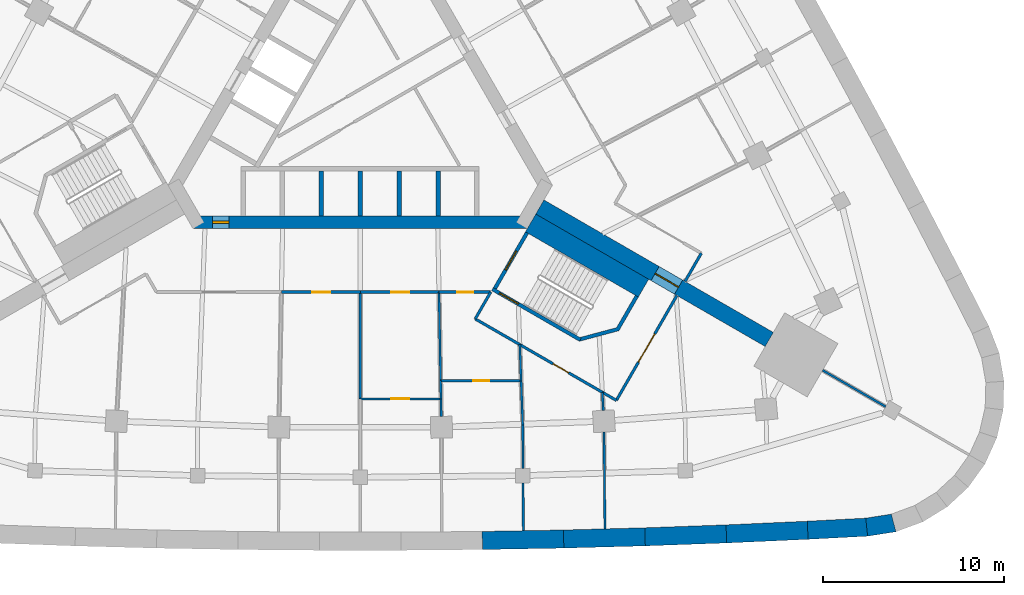
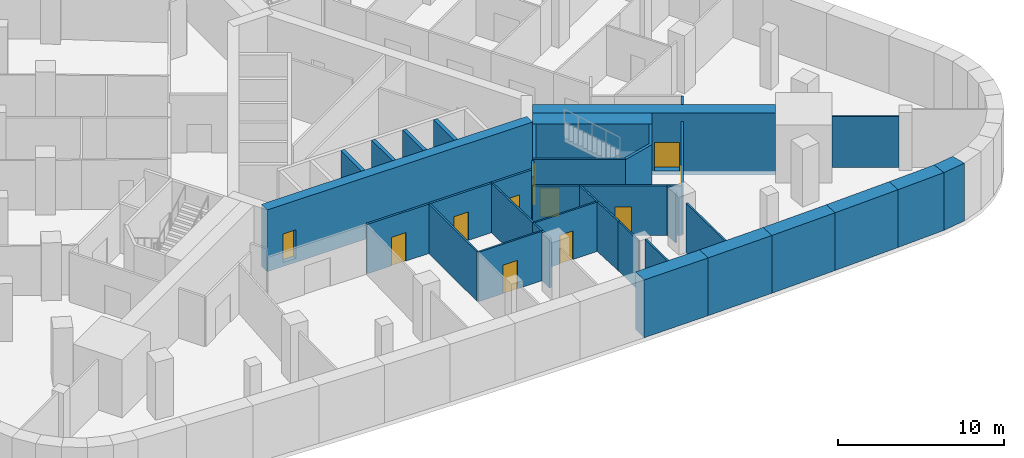
# One storey, part 5 of 9: 38 walls, 11 doors, 11 openings.
"""IFC4 building model written with IfcOpenShell, lengths in metres."""

from ifc_helpers import new_model, si_unit, direction, frame, frame_2d, origin, place, context, subcontext, project, spatial, polyline, rectangle, outline, extrude, material, layer, layer_set, type_object, element, fill, save


model = new_model("IFC4")

# Units and contexts
model_context = context("Model", 3, precision=1e-05, world=origin(), true_north=direction((0.0, 1.0)))
body_context = subcontext(model_context, "Body", "Model", "MODEL_VIEW")
ifc_project = project(units=[si_unit("LENGTHUNIT", "METRE"), si_unit("AREAUNIT", "SQUARE_METRE"), si_unit("VOLUMEUNIT", "CUBIC_METRE"), si_unit("PLANEANGLEUNIT", "RADIAN"), si_unit("MASSUNIT", "GRAM", prefix="KILO")], contexts=[model_context])

# Site, building, storey
site_placement = place(None, origin())
site = spatial("IfcSite", under=ifc_project, at=site_placement, CompositionType="ELEMENT")
building_placement = place(site_placement, origin())
building = spatial("IfcBuilding", under=site, at=building_placement, Name="Noor Cloister Tower", CompositionType="ELEMENT")
storey_placement = place(building_placement, frame((0.0, 0.0, -4.5)))
storey = spatial("IfcBuildingStorey", under=building, at=storey_placement, Name="B1", CompositionType="ELEMENT", Elevation=-4.5)

# Wall, opening, door
ifc_material_1 = material(Name="Concrete C80/95", Category="concrete")
ifc_layer_1 = layer(ifc_material_1, 0.89990234375)
ifc_layer_set_1 = layer_set([ifc_layer_1], Name="Buttress wall 900 C80/95")
wall_type_1 = type_object("IfcWallType", Name="Buttress wall 900 C80/95", PredefinedType="SHEAR", material=ifc_layer_set_1)
wall_1_placement = place(storey_placement, frame((9.921630859375, -5.728271484375, -0.300048828125), z_axis=(0.0, 0.0, 1.0), x_axis=(0.866028046028, -0.499995423472, 0.0)))
wall_1 = element("IfcWall", 1, at=wall_1_placement, inside=storey, type_object=wall_type_1, Name="Buttress wall SE B1", PredefinedType="SHEAR", context=body_context, shape_type="SweptSolid", body=[
    extrude(rectangle(XDim=14.632568359375, YDim=0.89990234375, at=frame_2d((7.31640625, 0.0))), origin(), (0.0, 0.0, 1.0), 4.550048828125),
])
opening_1_placement = place(wall_1_placement, frame((7.35009765625, 0.0, 0.300048828125)))
opening_1 = element("IfcOpeningElement", 2, at=opening_1_placement, cuts=wall_1, Name="Opening B1-031", PredefinedType="OPENING", context=body_context, shape_type="SweptSolid", body=[
    extrude(rectangle(XDim=1.5, YDim=2.10009765625, at=frame_2d((0.75, 1.050048828125))), frame((0.0, 0.4599609375, 0.0), z_axis=(0.0, -1.0, 0.0), x_axis=(1.0, 0.0, 0.0)), (0.0, 0.0, 1.0), 0.919921875),
])
ifc_material_2 = material(Name="Steel fire door", Category="steel")
door_type_1 = type_object("IfcDoorType", Name="Smoke barrier door FD60 1500", OperationType="DOUBLE_DOOR_SINGLE_SWING", PredefinedType="DOOR", material=ifc_material_2)
door_1_placement = place(opening_1_placement, origin())
door_1 = element("IfcDoor", 3, at=door_1_placement, inside=storey, type_object=door_type_1, Name="Door B1-031", OperationType="DOUBLE_DOOR_SINGLE_SWING", OverallHeight=2.10009765625, OverallWidth=1.5, PredefinedType="DOOR", context=body_context, shape_type="SweptSolid", body=[
    extrude(rectangle(XDim=1.5, YDim=2.10009765625, at=frame_2d((0.75, 1.050048828125))), frame((0.0, 0.02490234375, 0.0), z_axis=(0.0, -1.0, 0.0), x_axis=(1.0, 0.0, 0.0)), (0.0, 0.0, 1.0), 0.050048828125),
])
fill(opening_1, door_1)

ifc_material_3 = material(Name="Concrete C80/95", Category="concrete")
ifc_layer_2 = layer(ifc_material_3, 0.699951171875)
ifc_layer_set_2 = layer_set([ifc_layer_2], Name="Core wall 700 C80/95")
wall_type_2 = type_object("IfcWallType", Name="Core wall 700 C80/95", PredefinedType="SHEAR", material=ifc_layer_set_2)
wall_2_placement = place(storey_placement, frame((-9.228759765625, -6.578125, -0.300048828125), z_axis=(0.0, 0.0, 1.0), x_axis=(1.0, 0.0, 0.0)))
wall_2 = element("IfcWall", 4, at=wall_2_placement, inside=storey, type_object=wall_type_2, Name="Core wall B1 1", PredefinedType="SHEAR", context=body_context, shape_type="SweptSolid", body=[
    extrude(rectangle(XDim=18.45751953125, YDim=0.699951171875, at=frame_2d((9.228759765625, 0.0))), origin(), (0.0, 0.0, 1.0), 4.550048828125),
])
opening_2_placement = place(wall_2_placement, frame((1.078857421875, 0.0, 0.300048828125)))
opening_2 = element("IfcOpeningElement", 5, at=opening_2_placement, cuts=wall_2, Name="Opening B1-905", PredefinedType="OPENING", context=body_context, shape_type="SweptSolid", body=[
    extrude(rectangle(XDim=0.89990234375, YDim=2.10009765625, at=frame_2d((0.449951171875, 1.050048828125))), frame((0.0, 0.35986328125, 0.0), z_axis=(0.0, -1.0, 0.0), x_axis=(1.0, 0.0, 0.0)), (0.0, 0.0, 1.0), 0.719970703125),
])
ifc_material_4 = material(Name="Steel", Category="steel")
door_type_2 = type_object("IfcDoorType", Name="Core door 900 x 2100 FD120", OperationType="SINGLE_SWING_LEFT", PredefinedType="DOOR", material=ifc_material_4)
door_2_placement = place(opening_2_placement, origin())
door_2 = element("IfcDoor", 6, at=door_2_placement, inside=storey, type_object=door_type_2, Name="Core door 5 B1", OperationType="SINGLE_SWING_LEFT", OverallHeight=2.10009765625, OverallWidth=0.89990234375, PredefinedType="DOOR", context=body_context, shape_type="SweptSolid", body=[
    extrude(rectangle(XDim=0.89990234375, YDim=2.10009765625, at=frame_2d((0.449951171875, 1.050048828125))), frame((0.0, 0.074951171875, 0.0), z_axis=(0.0, -1.0, 0.0), x_axis=(1.0, 0.0, 0.0)), (0.0, 0.0, 1.0), 0.14990234375),
])
fill(opening_2, door_2)

ifc_material_5 = material(Name="Plasterboard on steel studs", Category="steel")
ifc_layer_3 = layer(ifc_material_5, 0.14990234375)
ifc_layer_set_3 = layer_set([ifc_layer_3], Name="Corridor wall 150")
wall_type_3 = type_object("IfcWallType", Name="Corridor wall 150", PredefinedType="PARTITIONING", material=ifc_layer_set_3)
wall_3_placement = place(storey_placement, frame((13.376953125, -15.962890625, 0.0), z_axis=(0.0, 0.0, 1.0), x_axis=(-0.865969754012, 0.500096375847, 0.0)))
wall_3 = element("IfcWall", 7, at=wall_3_placement, inside=storey, type_object=wall_type_3, Name="Partition", PredefinedType="PARTITIONING", context=body_context, shape_type="SweptSolid", body=[
    extrude(rectangle(XDim=5.27490234375, YDim=0.14990234375, at=frame_2d((2.637451171875, 0.0))), origin(), (0.0, 0.0, 1.0), 3.637939453125),
])
opening_3_placement = place(wall_3_placement, frame((2.14990234375, 0.0, 0.0)))
opening_3 = element("IfcOpeningElement", 8, at=opening_3_placement, cuts=wall_3, Name="Opening B1-003", PredefinedType="OPENING", context=body_context, shape_type="SweptSolid", body=[
    extrude(rectangle(XDim=1.0, YDim=2.10009765625, at=frame_2d((0.5, 1.050048828125))), frame((0.0, 0.0849609375, 0.0), z_axis=(0.0, -1.0, 0.0), x_axis=(1.0, 0.0, 0.0)), (0.0, 0.0, 1.0), 0.169921875),
])
ifc_material_6 = material(Name="Timber door leaf", Category="wood")
door_type_3 = type_object("IfcDoorType", Name="WC block door 1000", OperationType="SINGLE_SWING_LEFT", PredefinedType="DOOR", material=ifc_material_6)
door_3_placement = place(opening_3_placement, origin())
door_3 = element("IfcDoor", 9, at=door_3_placement, inside=storey, type_object=door_type_3, Name="Door B1-003", OperationType="SINGLE_SWING_RIGHT", OverallHeight=2.10009765625, OverallWidth=1.0, PredefinedType="DOOR", context=body_context, shape_type="SweptSolid", body=[
    extrude(rectangle(XDim=1.0, YDim=2.10009765625, at=frame_2d((0.5, 1.050048828125))), frame((0.0, 0.02490234375, 0.0), z_axis=(0.0, -1.0, 0.0), x_axis=(1.0, 0.0, 0.0)), (0.0, 0.0, 1.0), 0.050048828125),
])
fill(opening_3, door_3)

wall_4_placement = place(storey_placement, frame((17.490966796875, -10.617919921875, 0.0), z_axis=(0.0, 0.0, 1.0), x_axis=(-0.499969057507, -0.866043267704, 0.0)))
wall_4 = element("IfcWall", 10, at=wall_4_placement, inside=storey, type_object=wall_type_3, Name="Partition", PredefinedType="PARTITIONING", context=body_context, shape_type="SweptSolid", body=[
    extrude(rectangle(XDim=6.6845703125, YDim=0.14990234375, at=frame_2d((3.34228515625, 0.0))), origin(), (0.0, 0.0, 1.0), 3.637939453125),
])
opening_4_placement = place(wall_4_placement, frame((2.449951171875, 0.0, 0.0)))
opening_4 = element("IfcOpeningElement", 11, at=opening_4_placement, cuts=wall_4, Name="Opening B1-004", PredefinedType="OPENING", context=body_context, shape_type="SweptSolid", body=[
    extrude(rectangle(XDim=1.800048828125, YDim=2.10009765625, at=frame_2d((0.89990234375, 1.050048828125))), frame((0.0, 0.0849609375, 0.0), z_axis=(0.0, -1.0, 0.0), x_axis=(1.0, 0.0, 0.0)), (0.0, 0.0, 1.0), 0.169921875),
])
ifc_material_7 = material(Name="Timber door leaf", Category="wood")
door_type_4 = type_object("IfcDoorType", Name="Double leaf door 1800", OperationType="DOUBLE_DOOR_SINGLE_SWING", PredefinedType="DOOR", material=ifc_material_7)
door_4_placement = place(opening_4_placement, origin())
door_4 = element("IfcDoor", 12, at=door_4_placement, inside=storey, type_object=door_type_4, Name="Door B1-004", OperationType="DOUBLE_DOOR_SINGLE_SWING", OverallHeight=2.10009765625, OverallWidth=1.800048828125, PredefinedType="DOOR", context=body_context, shape_type="SweptSolid", body=[
    extrude(rectangle(XDim=1.800048828125, YDim=2.10009765625, at=frame_2d((0.89990234375, 1.050048828125))), frame((0.0, 0.02490234375, 0.0), z_axis=(0.0, -1.0, 0.0), x_axis=(1.0, 0.0, 0.0)), (0.0, 0.0, 1.0), 0.050048828125),
])
fill(opening_4, door_4)

# Wall
wall_5_placement = place(storey_placement, frame((14.14697265625, -16.406982421875, 0.0), z_axis=(0.0, 0.0, 1.0), x_axis=(-0.866276218641, 0.499565324075, 0.0)))
element("IfcWall", 13, at=wall_5_placement, inside=storey, type_object=wall_type_3, Name="Partition", PredefinedType="PARTITIONING", context=body_context, shape_type="SweptSolid", body=[
    extrude(rectangle(XDim=0.896728515625, YDim=0.14990234375, at=frame_2d((0.4482421875, 0.0))), origin(), (0.0, 0.0, 1.0), 3.637939453125),
])

# Wall, opening, door
wall_6_placement = place(storey_placement, frame((0.00390625, -10.427978515625, 0.0), z_axis=(0.0, 0.0, 1.0), x_axis=(-1.0, 0.0, 0.0)))
wall_6 = element("IfcWall", 14, at=wall_6_placement, inside=storey, type_object=wall_type_3, Name="Partition", PredefinedType="PARTITIONING", context=body_context, shape_type="SweptSolid", body=[
    extrude(rectangle(XDim=4.35888671875, YDim=0.14990234375, at=frame_2d((2.179443359375, 0.0))), origin(), (0.0, 0.0, 1.0), 3.637939453125),
])
opening_5_placement = place(wall_6_placement, frame((1.64990234375, 0.0, 0.0)))
opening_5 = element("IfcOpeningElement", 15, at=opening_5_placement, cuts=wall_6, Name="Opening B1-006", PredefinedType="OPENING", context=body_context, shape_type="SweptSolid", body=[
    extrude(rectangle(XDim=1.0, YDim=2.10009765625, at=frame_2d((0.5, 1.050048828125))), frame((0.0, 0.0849609375, 0.0), z_axis=(0.0, -1.0, 0.0), x_axis=(1.0, 0.0, 0.0)), (0.0, 0.0, 1.0), 0.169921875),
])
ifc_material_8 = material(Name="Timber door leaf", Category="wood")
door_type_5 = type_object("IfcDoorType", Name="Clinic room door 1000", OperationType="SINGLE_SWING_LEFT", PredefinedType="DOOR", material=ifc_material_8)
door_5_placement = place(opening_5_placement, origin())
door_5 = element("IfcDoor", 16, at=door_5_placement, inside=storey, type_object=door_type_5, Name="Door B1-006", OperationType="SINGLE_SWING_LEFT", OverallHeight=2.10009765625, OverallWidth=1.0, PredefinedType="DOOR", context=body_context, shape_type="SweptSolid", body=[
    extrude(rectangle(XDim=1.0, YDim=2.10009765625, at=frame_2d((0.5, 1.050048828125))), frame((0.0, 0.02490234375, 0.0), z_axis=(0.0, -1.0, 0.0), x_axis=(1.0, 0.0, 0.0)), (0.0, 0.0, 1.0), 0.050048828125),
])
fill(opening_5, door_5)

wall_7_placement = place(storey_placement, frame((4.35498046875, -10.427978515625, 0.0), z_axis=(0.0, 0.0, 1.0), x_axis=(-1.0, 0.0, 0.0)))
wall_7 = element("IfcWall", 17, at=wall_7_placement, inside=storey, type_object=wall_type_3, Name="Partition", PredefinedType="PARTITIONING", context=body_context, shape_type="SweptSolid", body=[
    extrude(rectangle(XDim=4.35888671875, YDim=0.14990234375, at=frame_2d((2.179443359375, 0.0))), origin(), (0.0, 0.0, 1.0), 3.637939453125),
])
opening_6_placement = place(wall_7_placement, frame((1.64990234375, 0.0, 0.0)))
opening_6 = element("IfcOpeningElement", 18, at=opening_6_placement, cuts=wall_7, Name="Opening B1-008", PredefinedType="OPENING", context=body_context, shape_type="SweptSolid", body=[
    extrude(rectangle(XDim=1.0, YDim=2.10009765625, at=frame_2d((0.5, 1.050048828125))), frame((0.0, 0.0849609375, 0.0), z_axis=(0.0, -1.0, 0.0), x_axis=(1.0, 0.0, 0.0)), (0.0, 0.0, 1.0), 0.169921875),
])
door_6_placement = place(opening_6_placement, origin())
door_6 = element("IfcDoor", 19, at=door_6_placement, inside=storey, type_object=door_type_5, Name="Door B1-008", OperationType="SINGLE_SWING_LEFT", OverallHeight=2.10009765625, OverallWidth=1.0, PredefinedType="DOOR", context=body_context, shape_type="SweptSolid", body=[
    extrude(rectangle(XDim=1.0, YDim=2.10009765625, at=frame_2d((0.5, 1.050048828125))), frame((0.0, 0.02490234375, 0.0), z_axis=(0.0, -1.0, 0.0), x_axis=(1.0, 0.0, 0.0)), (0.0, 0.0, 1.0), 0.050048828125),
])
fill(opening_6, door_6)

# Walls
wall_8_placement = place(storey_placement, frame((8.81689453125, -13.330078125, 0.0), z_axis=(0.0, 0.0, 1.0), x_axis=(-0.865999736111, 0.50004445508, 0.0)))
element("IfcWall", 20, at=wall_8_placement, inside=storey, type_object=wall_type_3, Name="Partition", PredefinedType="PARTITIONING", context=body_context, shape_type="SweptSolid", body=[
    extrude(rectangle(XDim=2.843994140625, YDim=0.14990234375, at=frame_2d((1.421875, 0.0))), origin(), (0.0, 0.0, 1.0), 3.637939453125),
])
wall_9_placement = place(storey_placement, frame((6.35400390625, -11.906005859375, 0.0), z_axis=(0.0, 0.0, 1.0), x_axis=(0.500539815233, 0.865713516913, 0.0)))
element("IfcWall", 21, at=wall_9_placement, inside=storey, type_object=wall_type_3, Name="Partition", PredefinedType="PARTITIONING", context=body_context, shape_type="SweptSolid", body=[
    extrude(rectangle(XDim=1.7060546875, YDim=0.14990234375, at=frame_2d((0.85302734375, 0.0))), origin(), (0.0, 0.0, 1.0), 4.25),
])

# Wall, opening, door
wall_10_placement = place(storey_placement, frame((7.2080078125, -10.427978515625, 0.0), z_axis=(0.0, 0.0, 1.0), x_axis=(-1.0, 0.0, 0.0)))
wall_10 = element("IfcWall", 22, at=wall_10_placement, inside=storey, type_object=wall_type_3, Name="Partition", PredefinedType="PARTITIONING", context=body_context, shape_type="SweptSolid", body=[
    extrude(rectangle(XDim=2.861083984375, YDim=0.14990234375, at=frame_2d((1.4306640625, 0.0))), origin(), (0.0, 0.0, 1.0), 3.637939453125),
])
opening_7_placement = place(wall_10_placement, frame((0.949951171875, 0.0, 0.0)))
opening_7 = element("IfcOpeningElement", 23, at=opening_7_placement, cuts=wall_10, Name="Opening B1-009", PredefinedType="OPENING", context=body_context, shape_type="SweptSolid", body=[
    extrude(rectangle(XDim=0.89990234375, YDim=2.10009765625, at=frame_2d((0.449951171875, 1.050048828125))), frame((0.0, 0.0849609375, 0.0), z_axis=(0.0, -1.0, 0.0), x_axis=(1.0, 0.0, 0.0)), (0.0, 0.0, 1.0), 0.169921875),
])
ifc_material_9 = material(Name="Timber door leaf", Category="wood")
door_type_6 = type_object("IfcDoorType", Name="Service room door 900", OperationType="SINGLE_SWING_LEFT", PredefinedType="DOOR", material=ifc_material_9)
door_7_placement = place(opening_7_placement, origin())
door_7 = element("IfcDoor", 24, at=door_7_placement, inside=storey, type_object=door_type_6, Name="Door B1-009", OperationType="SINGLE_SWING_LEFT", OverallHeight=2.10009765625, OverallWidth=0.89990234375, PredefinedType="DOOR", context=body_context, shape_type="SweptSolid", body=[
    extrude(rectangle(XDim=0.89990234375, YDim=2.10009765625, at=frame_2d((0.449951171875, 1.050048828125))), frame((0.0, 0.02490234375, 0.0), z_axis=(0.0, -1.0, 0.0), x_axis=(1.0, 0.0, 0.0)), (0.0, 0.0, 1.0), 0.050048828125),
])
fill(opening_7, door_7)

# Walls
wall_11_placement = place(storey_placement, frame((18.840087890625, -8.281005859375, 0.0), z_axis=(0.0, 0.0, 1.0), x_axis=(-0.500126010714, -0.86595263924, 0.0)))
element("IfcWall", 25, at=wall_11_placement, inside=storey, type_object=wall_type_3, Name="Partition", PredefinedType="PARTITIONING", context=body_context, shape_type="SweptSolid", body=[
    extrude(rectangle(XDim=1.7978515625, YDim=0.14990234375, at=frame_2d((0.89892578125, 0.0))), origin(), (0.0, 0.0, 1.0), 3.637939453125),
])
ifc_material_10 = material(Name="Concrete C50/60", Category="concrete")
ifc_layer_4 = layer(ifc_material_10, 1.0)
ifc_layer_set_4 = layer_set([ifc_layer_4], Name="Diaphragm wall 1000")
wall_type_4 = type_object("IfcWallType", Name="Diaphragm wall 1000", PredefinedType="SOLIDWALL", material=ifc_layer_set_4)
wall_12_placement = place(storey_placement, origin())
element("IfcWall", 26, at=wall_12_placement, inside=storey, type_object=wall_type_4, Name="Basement wall 42", PredefinedType="SOLIDWALL", context=body_context, shape_type="SweptSolid", body=[
    extrude(outline(polyline([(6.749755859375, -24.6484375), (11.2490234375, -24.567626953125), (11.2265625, -23.56787109375), (6.736328125, -23.648681640625), (6.749755859375, -24.6484375)])), origin(), (0.0, 0.0, 1.0), 4.25),
])
wall_13_placement = place(storey_placement, origin())
element("IfcWall", 27, at=wall_13_placement, inside=storey, type_object=wall_type_4, Name="Basement wall 43", PredefinedType="SOLIDWALL", context=body_context, shape_type="SweptSolid", body=[
    extrude(outline(polyline([(11.2490234375, -24.567626953125), (15.747314453125, -24.4462890625), (15.716064453125, -23.44677734375), (11.2265625, -23.56787109375), (11.2490234375, -24.567626953125)])), origin(), (0.0, 0.0, 1.0), 4.25),
])
wall_14_placement = place(storey_placement, origin())
element("IfcWall", 28, at=wall_14_placement, inside=storey, type_object=wall_type_4, Name="Basement wall 44", PredefinedType="SOLIDWALL", context=body_context, shape_type="SweptSolid", body=[
    extrude(outline(polyline([(15.747314453125, -24.4462890625), (20.244384765625, -24.28466796875), (20.2041015625, -23.285400390625), (15.716064453125, -23.44677734375), (15.747314453125, -24.4462890625)])), origin(), (0.0, 0.0, 1.0), 4.25),
])
wall_15_placement = place(storey_placement, origin())
element("IfcWall", 29, at=wall_15_placement, inside=storey, type_object=wall_type_4, Name="Basement wall 45", PredefinedType="SOLIDWALL", context=body_context, shape_type="SweptSolid", body=[
    extrude(outline(polyline([(20.244384765625, -24.28466796875), (24.739990234375, -24.08251953125), (24.691162109375, -23.083740234375), (20.2041015625, -23.285400390625), (20.244384765625, -24.28466796875)])), origin(), (0.0, 0.0, 1.0), 4.25),
])
wall_16_placement = place(storey_placement, origin())
element("IfcWall", 30, at=wall_16_placement, inside=storey, type_object=wall_type_4, Name="Basement wall 46", PredefinedType="SOLIDWALL", context=body_context, shape_type="SweptSolid", body=[
    extrude(outline(polyline([(24.739990234375, -24.08251953125), (28.02490234375, -23.9091796875), (27.921142578125, -22.913330078125), (24.691162109375, -23.083740234375), (24.739990234375, -24.08251953125)])), origin(), (0.0, 0.0, 1.0), 4.25),
])
wall_17_placement = place(storey_placement, origin())
element("IfcWall", 31, at=wall_17_placement, inside=storey, type_object=wall_type_4, Name="Basement wall 47", PredefinedType="SOLIDWALL", context=body_context, shape_type="SweptSolid", body=[
    extrude(outline(polyline([(28.02490234375, -23.9091796875), (29.58935546875, -23.66455078125), (29.336669921875, -22.69189453125), (27.921142578125, -22.913330078125), (28.02490234375, -23.9091796875)])), origin(), (0.0, 0.0, 1.0), 4.25),
])
ifc_material_11 = material(Name="Plasterboard on steel studs", Category="steel")
ifc_layer_5 = layer(ifc_material_11, 0.1201171875)
ifc_layer_set_5 = layer_set([ifc_layer_5], Name="Partition wall 120")
wall_type_5 = type_object("IfcWallType", Name="Partition wall 120", PredefinedType="PARTITIONING", material=ifc_layer_set_5)
wall_18_placement = place(storey_placement, frame((4.47802734375, -17.291015625, 0.0), z_axis=(0.0, 0.0, 1.0), x_axis=(-0.018678891577, 0.999825534286, 0.0)))
element("IfcWall", 32, at=wall_18_placement, inside=storey, type_object=wall_type_5, Name="Partition", PredefinedType="PARTITIONING", context=body_context, shape_type="SweptSolid", body=[
    extrude(rectangle(XDim=0.96728515625, YDim=0.1201171875, at=frame_2d((0.483642578125, 0.0))), origin(), (0.0, 0.0, 1.0), 3.637939453125),
])

# Wall, opening, door
wall_19_placement = place(storey_placement, frame((4.4609375, -16.327880859375, 0.0), z_axis=(0.0, 0.0, 1.0), x_axis=(-1.0, 0.0, 0.0)))
wall_19 = element("IfcWall", 33, at=wall_19_placement, inside=storey, type_object=wall_type_5, Name="Partition", PredefinedType="PARTITIONING", context=body_context, shape_type="SweptSolid", body=[
    extrude(rectangle(XDim=4.4609375, YDim=0.1201171875, at=frame_2d((2.23046875, 0.0))), origin(), (0.0, 0.0, 1.0), 3.637939453125),
])
opening_8_placement = place(wall_19_placement, frame((1.75, 0.0, 0.0)))
opening_8 = element("IfcOpeningElement", 34, at=opening_8_placement, cuts=wall_19, Name="Opening B1-001", PredefinedType="OPENING", context=body_context, shape_type="SweptSolid", body=[
    extrude(rectangle(XDim=1.0, YDim=2.10009765625, at=frame_2d((0.5, 1.050048828125))), frame((0.0, 0.070068359375, 0.0), z_axis=(0.0, -1.0, 0.0), x_axis=(1.0, 0.0, 0.0)), (0.0, 0.0, 1.0), 0.14013671875),
])
door_8_placement = place(opening_8_placement, origin())
door_8 = element("IfcDoor", 35, at=door_8_placement, inside=storey, type_object=door_type_5, Name="Door B1-001", OperationType="SINGLE_SWING_RIGHT", OverallHeight=2.10009765625, OverallWidth=1.0, PredefinedType="DOOR", context=body_context, shape_type="SweptSolid", body=[
    extrude(rectangle(XDim=1.0, YDim=2.10009765625, at=frame_2d((0.5, 1.050048828125))), frame((0.0, 0.02490234375, 0.0), z_axis=(0.0, -1.0, 0.0), x_axis=(1.0, 0.0, 0.0)), (0.0, 0.0, 1.0), 0.050048828125),
])
fill(opening_8, door_8)

# Walls
wall_20_placement = place(storey_placement, frame((8.991943359375, -20.1650390625, 0.0), z_axis=(0.0, 0.0, 1.0), x_axis=(-0.005803200997, 0.999983161287, 0.0)))
element("IfcWall", 36, at=wall_20_placement, inside=storey, type_object=wall_type_5, Name="Partition", PredefinedType="PARTITIONING", context=body_context, shape_type="SweptSolid", body=[
    extrude(rectangle(XDim=2.39794921875, YDim=0.1201171875, at=frame_2d((1.198974609375, 0.0))), origin(), (0.0, 0.0, 1.0), 3.637939453125),
])
wall_21_placement = place(storey_placement, frame((8.97802734375, -17.76708984375, 0.0), z_axis=(0.0, 0.0, 1.0), x_axis=(-0.037248042069, 0.999306050898, 0.0)))
element("IfcWall", 37, at=wall_21_placement, inside=storey, type_object=wall_type_5, Name="Partition", PredefinedType="PARTITIONING", context=body_context, shape_type="SweptSolid", body=[
    extrude(rectangle(XDim=2.44482421875, YDim=0.1201171875, at=frame_2d((1.222412109375, 0.0))), origin(), (0.0, 0.0, 1.0), 3.637939453125),
])
wall_22_placement = place(storey_placement, frame((9.011962890625, -23.60791015625, 0.0), z_axis=(0.0, 0.0, 1.0), x_axis=(-0.006004510691, 0.999981972763, 0.0)))
element("IfcWall", 38, at=wall_22_placement, inside=storey, type_object=wall_type_5, Name="Partition", PredefinedType="PARTITIONING", context=body_context, shape_type="SweptSolid", body=[
    extrude(rectangle(XDim=2.642822265625, YDim=0.1201171875, at=frame_2d((1.3212890625, 0.0))), origin(), (0.0, 0.0, 1.0), 4.25),
])
wall_23_placement = place(storey_placement, frame((4.44189453125, -15.323974609375, 0.0), z_axis=(0.0, 0.0, 1.0), x_axis=(0.018983920047, -0.999819789152, 0.0)))
element("IfcWall", 39, at=wall_23_placement, inside=storey, type_object=wall_type_5, Name="Partition", PredefinedType="PARTITIONING", context=body_context, shape_type="SweptSolid", body=[
    extrude(rectangle(XDim=1.003173828125, YDim=0.1201171875, at=frame_2d((0.50146484375, 0.0))), origin(), (0.0, 0.0, 1.0), 3.637939453125),
])

# Wall, opening, door
wall_24_placement = place(storey_placement, frame((8.886962890625, -15.327880859375, 0.0), z_axis=(0.0, 0.0, 1.0), x_axis=(-1.0, 0.0, 0.0)))
wall_24 = element("IfcWall", 40, at=wall_24_placement, inside=storey, type_object=wall_type_5, Name="Partition", PredefinedType="PARTITIONING", context=body_context, shape_type="SweptSolid", body=[
    extrude(rectangle(XDim=4.445068359375, YDim=0.1201171875, at=frame_2d((2.22265625, 0.0))), origin(), (0.0, 0.0, 1.0), 3.637939453125),
])
opening_9_placement = place(wall_24_placement, frame((1.75, 0.0, 0.0)))
opening_9 = element("IfcOpeningElement", 41, at=opening_9_placement, cuts=wall_24, Name="Opening B1-002", PredefinedType="OPENING", context=body_context, shape_type="SweptSolid", body=[
    extrude(rectangle(XDim=0.89990234375, YDim=2.10009765625, at=frame_2d((0.449951171875, 1.050048828125))), frame((0.0, 0.070068359375, 0.0), z_axis=(0.0, -1.0, 0.0), x_axis=(1.0, 0.0, 0.0)), (0.0, 0.0, 1.0), 0.14013671875),
])
door_9_placement = place(opening_9_placement, origin())
door_9 = element("IfcDoor", 42, at=door_9_placement, inside=storey, type_object=door_type_6, Name="Door B1-002", OperationType="SINGLE_SWING_LEFT", OverallHeight=2.10009765625, OverallWidth=0.89990234375, PredefinedType="DOOR", context=body_context, shape_type="SweptSolid", body=[
    extrude(rectangle(XDim=0.89990234375, YDim=2.10009765625, at=frame_2d((0.449951171875, 1.050048828125))), frame((0.0, 0.02490234375, 0.0), z_axis=(0.0, -1.0, 0.0), x_axis=(1.0, 0.0, 0.0)), (0.0, 0.0, 1.0), 0.050048828125),
])
fill(opening_9, door_9)

# Walls
wall_25_placement = place(storey_placement, frame((13.428955078125, -16.958984375, 0.0), z_axis=(0.0, 0.0, 1.0), x_axis=(-0.055009625476, 0.998485824188, 0.0)))
element("IfcWall", 43, at=wall_25_placement, inside=storey, type_object=wall_type_5, Name="Partition", PredefinedType="PARTITIONING", context=body_context, shape_type="SweptSolid", body=[
    extrude(rectangle(XDim=0.99853515625, YDim=0.1201171875, at=frame_2d((0.499267578125, 0.0))), origin(), (0.0, 0.0, 1.0), 3.637939453125),
])
wall_26_placement = place(storey_placement, frame((13.51708984375, -23.506103515625, 0.0), z_axis=(0.0, 0.0, 1.0), x_axis=(-0.00917685765, 0.999957891755, 0.0)))
element("IfcWall", 44, at=wall_26_placement, inside=storey, type_object=wall_type_5, Name="Partition", PredefinedType="PARTITIONING", context=body_context, shape_type="SweptSolid", body=[
    extrude(rectangle(XDim=5.347412109375, YDim=0.1201171875, at=frame_2d((2.673828125, 0.0))), origin(), (0.0, 0.0, 1.0), 3.633056640625),
])
wall_27_placement = place(storey_placement, frame((8.81298828125, -13.327880859375, 0.0), z_axis=(0.0, 0.0, 1.0), x_axis=(0.036980062174, -0.999316003575, 0.0)))
element("IfcWall", 45, at=wall_27_placement, inside=storey, type_object=wall_type_5, Name="Partition", PredefinedType="PARTITIONING", context=body_context, shape_type="SweptSolid", body=[
    extrude(rectangle(XDim=2.00048828125, YDim=0.1201171875, at=frame_2d((1.000244140625, 0.0))), origin(), (0.0, 0.0, 1.0), 3.637939453125),
])
wall_28_placement = place(storey_placement, frame((29.02294921875, -16.757080078125, 0.0), z_axis=(0.0, 0.0, 1.0), x_axis=(-0.866027971625, 0.499995552344, 0.0)))
element("IfcWall", 46, at=wall_28_placement, inside=storey, type_object=wall_type_5, Name="Partition", PredefinedType="PARTITIONING", context=body_context, shape_type="SweptSolid", body=[
    extrude(rectangle(XDim=4.02392578125, YDim=0.1201171875, at=frame_2d((2.011962890625, 0.0))), origin(), (0.0, 0.0, 1.0), 3.717041015625),
])
wall_29_placement = place(storey_placement, frame((0.0, -16.327880859375, 0.0), z_axis=(0.0, 0.0, 1.0), x_axis=(0.0, 1.0, 0.0)))
element("IfcWall", 47, at=wall_29_placement, inside=storey, type_object=wall_type_5, Name="Partition", PredefinedType="PARTITIONING", context=body_context, shape_type="SweptSolid", body=[
    extrude(rectangle(XDim=5.89990234375, YDim=0.1201171875, at=frame_2d((2.949951171875, 0.0))), origin(), (0.0, 0.0, 1.0), 3.637939453125),
])
wall_30_placement = place(storey_placement, frame((4.44189453125, -15.326904296875, 0.0), z_axis=(0.0, 0.0, 1.0), x_axis=(-0.018539331325, 0.999828131828, 0.0)))
element("IfcWall", 48, at=wall_30_placement, inside=storey, type_object=wall_type_5, Name="Partition", PredefinedType="PARTITIONING", context=body_context, shape_type="SweptSolid", body=[
    extrude(rectangle(XDim=4.898681640625, YDim=0.1201171875, at=frame_2d((2.44921875, 0.0))), origin(), (0.0, 0.0, 1.0), 3.637939453125),
])
ifc_material_12 = material(Name="Concrete C80/95", Category="concrete")
ifc_layer_6 = layer(ifc_material_12, 0.25)
ifc_layer_set_6 = layer_set([ifc_layer_6], Name="Shaft wall 250 C80/95")
wall_type_6 = type_object("IfcWallType", Name="Shaft wall 250 C80/95", PredefinedType="PARTITIONING", material=ifc_layer_set_6)
for number, where, z_axis, x_axis, name in (
    (49, (-2.14990234375, -6.228271484375, 0.0), (0.0, 0.0, 1.0), (0.0, 1.0, 0.0), "Lift shaft wall B1 S 3"),
    (50, (0.0, -6.228271484375, 0.0), (0.0, 0.0, 1.0), (0.0, 1.0, 0.0), "Lift shaft wall B1 S 4"),
    (51, (2.14990234375, -6.228271484375, 0.0), (0.0, 0.0, 1.0), (0.0, 1.0, 0.0), "Lift shaft wall B1 S 5"),
    (52, (4.300048828125, -6.228271484375, 0.0), (0.0, 0.0, 1.0), (0.0, 1.0, 0.0), "Lift shaft wall B1 S 6"),
):
    element("IfcWall", number, at=place(storey_placement, frame(where, z_axis=z_axis, x_axis=x_axis)), inside=storey, type_object=wall_type_6, Name=name, PredefinedType="PARTITIONING", context=body_context, shape_type="SweptSolid", body=[
        extrude(rectangle(XDim=2.5, YDim=0.25, at=frame_2d((1.25, 0.0))), origin(), (0.0, 0.0, 1.0), 4.25),
    ])
ifc_material_13 = material(Name="Concrete C80/95", Category="concrete")
ifc_layer_7 = layer(ifc_material_13, 1.135986328125)
ifc_layer_set_7 = layer_set([ifc_layer_7], Name="Stair enclosure wall 1136 C80/95")
wall_type_7 = type_object("IfcWallType", Name="Stair enclosure wall 1136 C80/95", PredefinedType="SHEAR", material=ifc_layer_set_7)
wall_31_placement = place(storey_placement, frame((9.41259765625, -6.609619140625, -0.300048828125), z_axis=(0.0, 0.0, 1.0), x_axis=(0.866018442252, -0.500012057535, 0.0)))
element("IfcWall", 53, at=wall_31_placement, inside=storey, type_object=wall_type_7, Name="Stair enclosure wall ST3 B1 riser side", PredefinedType="SHEAR", context=body_context, shape_type="SweptSolid", body=[
    extrude(rectangle(XDim=7.199951171875, YDim=1.1357421875, at=frame_2d((3.60009765625, 0.0))), origin(), (0.0, 0.0, 1.0), 4.550048828125),
])

# Wall, opening, door
ifc_material_14 = material(Name="Concrete C80/95", Category="concrete")
ifc_layer_8 = layer(ifc_material_14, 0.199951171875)
ifc_layer_set_8 = layer_set([ifc_layer_8], Name="Stair enclosure wall 200 C80/95")
wall_type_8 = type_object("IfcWallType", Name="Stair enclosure wall 200 C80/95", PredefinedType="SHEAR", material=ifc_layer_set_8)
wall_32_placement = place(storey_placement, frame((7.440185546875, -10.225830078125, -0.300048828125), z_axis=(0.0, 0.0, 1.0), x_axis=(0.500022077904, 0.866012656725, 0.0)))
wall_32 = element("IfcWall", 54, at=wall_32_placement, inside=storey, type_object=wall_type_8, Name="Stair enclosure wall ST3 B1 near end", PredefinedType="SHEAR", context=body_context, shape_type="SweptSolid", body=[
    extrude(rectangle(XDim=3.550048828125, YDim=0.199951171875, at=frame_2d((1.77490234375, 0.0))), origin(), (0.0, 0.0, 1.0), 4.550048828125),
])
opening_10_placement = place(wall_32_placement, frame((1.175048828125, 0.0, 0.300048828125)))
opening_10 = element("IfcOpeningElement", 55, at=opening_10_placement, cuts=wall_32, Name="Opening B1-ST3L", PredefinedType="OPENING", context=body_context, shape_type="SweptSolid", body=[
    extrude(rectangle(XDim=1.199951171875, YDim=2.10009765625, at=frame_2d((0.60009765625, 1.050048828125))), frame((0.0, 0.10986328125, 0.0), z_axis=(0.0, -1.0, 0.0), x_axis=(1.0, 0.0, 0.0)), (0.0, 0.0, 1.0), 0.219970703125),
])
ifc_material_15 = material(Name="Steel", Category="steel")
door_type_7 = type_object("IfcDoorType", Name="Stair door 1200 x 2100 FD120", OperationType="SINGLE_SWING_LEFT", PredefinedType="DOOR", material=ifc_material_15)
door_10_placement = place(opening_10_placement, origin())
door_10 = element("IfcDoor", 56, at=door_10_placement, inside=storey, type_object=door_type_7, Name="Stair door ST3 B1", OperationType="SINGLE_SWING_RIGHT", OverallHeight=2.10009765625, OverallWidth=1.199951171875, PredefinedType="DOOR", context=body_context, shape_type="SweptSolid", body=[
    extrude(rectangle(XDim=1.199951171875, YDim=2.10009765625, at=frame_2d((0.60009765625, 1.050048828125))), frame((0.0, 0.02490234375, 0.0), z_axis=(0.0, -1.0, 0.0), x_axis=(1.0, 0.0, 0.0)), (0.0, 0.0, 1.0), 0.050048828125),
])
fill(opening_10, door_10)

wall_33_placement = place(storey_placement, frame((7.3037109375, -10.262451171875, -0.300048828125), z_axis=(0.0, 0.0, 1.0), x_axis=(0.866026594901, -0.49999793692, 0.0)))
wall_33 = element("IfcWall", 57, at=wall_33_placement, inside=storey, type_object=wall_type_8, Name="Stair enclosure wall ST3 B1 outer side", PredefinedType="SHEAR", context=body_context, shape_type="SweptSolid", body=[
    extrude(rectangle(XDim=5.60009765625, YDim=0.199951171875, at=frame_2d((2.800048828125, 0.0))), origin(), (0.0, 0.0, 1.0), 4.550048828125),
])
opening_11_placement = place(wall_33_placement, frame((0.449951171875, 0.0, 0.300048828125)))
opening_11 = element("IfcOpeningElement", 58, at=opening_11_placement, cuts=wall_33, Name="Opening B1-ST3C", PredefinedType="OPENING", context=body_context, shape_type="SweptSolid", body=[
    extrude(rectangle(XDim=1.199951171875, YDim=2.10009765625, at=frame_2d((0.60009765625, 1.050048828125))), frame((0.0, 0.10986328125, 0.0), z_axis=(0.0, -1.0, 0.0), x_axis=(1.0, 0.0, 0.0)), (0.0, 0.0, 1.0), 0.219970703125),
])
door_11_placement = place(opening_11_placement, origin())
door_11 = element("IfcDoor", 59, at=door_11_placement, inside=storey, type_object=door_type_7, Name="Stair door ST3 B1", OperationType="SINGLE_SWING_LEFT", OverallHeight=2.10009765625, OverallWidth=1.199951171875, PredefinedType="DOOR", context=body_context, shape_type="SweptSolid", body=[
    extrude(rectangle(XDim=1.199951171875, YDim=2.10009765625, at=frame_2d((0.60009765625, 1.050048828125))), frame((0.0, 0.02490234375, 0.0), z_axis=(0.0, -1.0, 0.0), x_axis=(1.0, 0.0, 0.0)), (0.0, 0.0, 1.0), 0.050048828125),
])
fill(opening_11, door_11)

# Wall
ifc_material_16 = material(Name="Concrete C80/95", Category="concrete")
wall_type_9 = type_object("IfcWallType", Name="Stair far end wall C80/95", PredefinedType="SHEAR", material=ifc_material_16)
wall_34_placement = place(storey_placement, frame((0.0, 0.0, -0.300048828125)))
element("IfcWall", 60, at=wall_34_placement, inside=storey, type_object=wall_type_9, Name="Stair enclosure wall ST3 B1 far end", PredefinedType="SHEAR", context=body_context, shape_type="SweptSolid", body=[
    extrude(outline(polyline([(12.103515625, -13.14892578125), (14.2890625, -12.5634765625), (15.364013671875, -10.701416015625), (15.19091796875, -10.601318359375), (14.1572265625, -12.3916015625), (12.131591796875, -12.934326171875), (12.20361328125, -12.975830078125), (12.20361328125, -12.975830078125), (12.20361328125, -12.975830078125), (12.20361328125, -12.975830078125), (12.20361328125, -12.975830078125), (12.20361328125, -12.975830078125), (12.20361328125, -12.975830078125), (12.20361328125, -12.975830078125), (12.20361328125, -12.975830078125), (12.20361328125, -12.975830078125), (12.20361328125, -12.975830078125), (12.20361328125, -12.975830078125), (12.20361328125, -12.975830078125), (12.20361328125, -12.975830078125), (12.20361328125, -12.975830078125), (12.20361328125, -12.975830078125), (12.20361328125, -12.975830078125), (12.103515625, -13.14892578125)])), origin(), (0.0, 0.0, 1.0), 4.550048828125),
])

save(model, "model.ifc")
